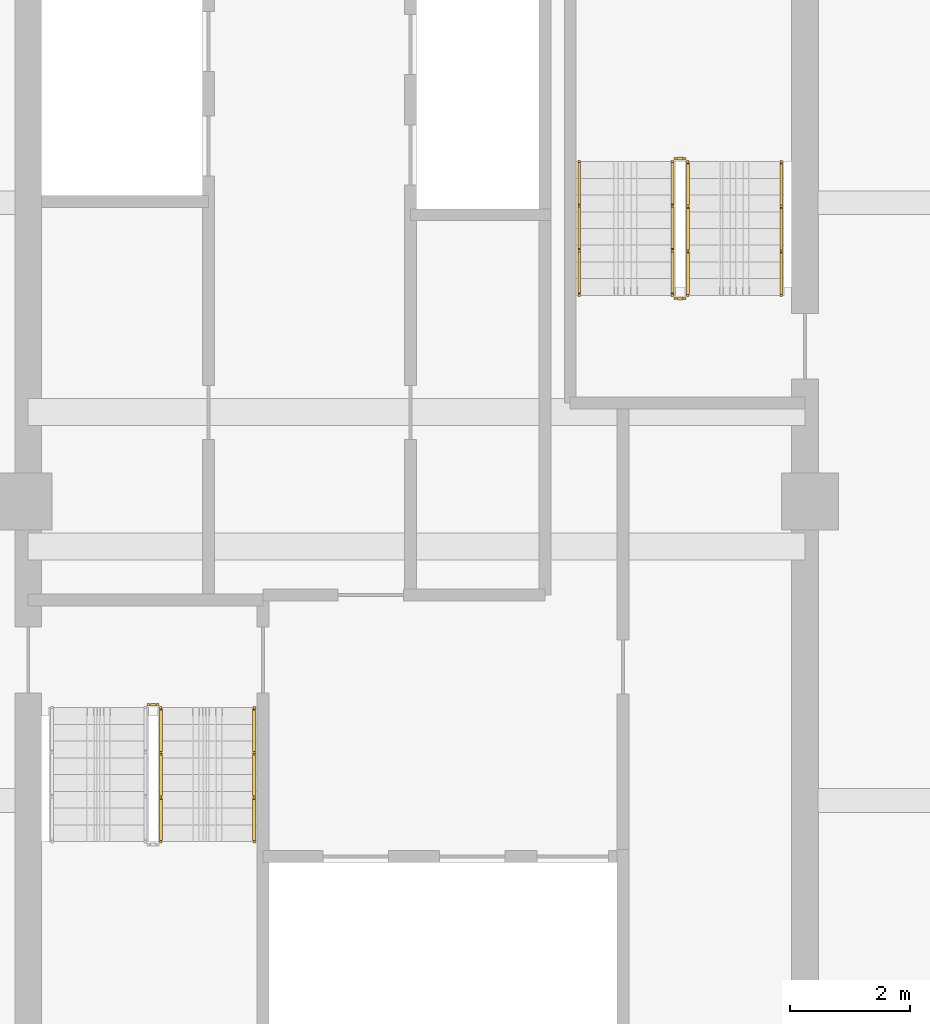
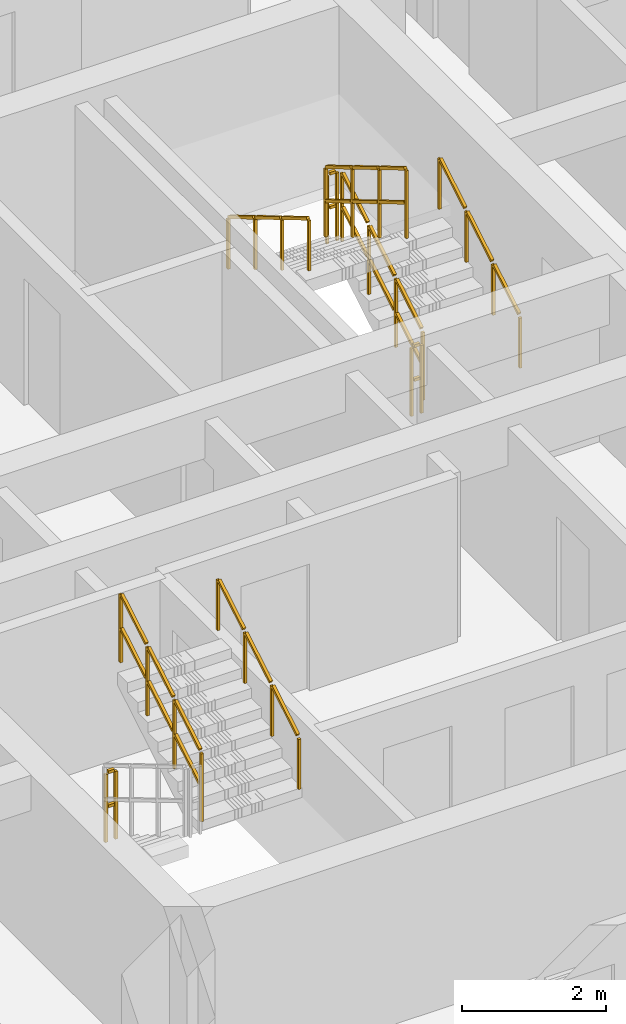
# One storey, part 11 of 13: 9 railings.
"""IFC4 building model written with IfcOpenShell, lengths in metres."""

from ifc_helpers import new_model, si_unit, direction, frame, origin, origin_2d, place, context, subcontext, project, spatial, rectangle, extrude, material, type_object, element, save


model = new_model("IFC4")

# Units and contexts
model_context = context("Model", 3, precision=1e-05, world=origin(), true_north=direction((0.0, 1.0)))
body_context = subcontext(model_context, "Body", "Model", "MODEL_VIEW")
ifc_project = project(units=[si_unit("LENGTHUNIT", "METRE"), si_unit("AREAUNIT", "SQUARE_METRE"), si_unit("VOLUMEUNIT", "CUBIC_METRE"), si_unit("PLANEANGLEUNIT", "RADIAN"), si_unit("MASSUNIT", "GRAM", prefix="KILO")], contexts=[model_context])

# Site, building, storey
site_placement = place(None, origin())
site = spatial("IfcSite", under=ifc_project, at=site_placement, CompositionType="ELEMENT")
building_placement = place(site_placement, origin())
building = spatial("IfcBuilding", under=site, at=building_placement, Name="Saelheon Loggia Tower", CompositionType="ELEMENT")
storey_placement = place(building_placement, frame((0.0, 0.0, 223.199951171875)))
storey = spatial("IfcBuildingStorey", under=building, at=storey_placement, Name="L69", CompositionType="ELEMENT", Elevation=223.199951171875)

# Railings
ifc_material_1 = material(Name="Galvanised Steel S275 Stairwell Guardrail", Category="steel")
railing_type_1 = type_object("IfcRailingType", Name="Guard_StairWell_RL_STG", PredefinedType="GUARDRAIL", material=ifc_material_1)
railing_1_placement = place(storey_placement, frame((33.719970703125, 21.31005859375, 1.666748046875)))
element("IfcRailing", 1, at=railing_1_placement, inside=storey, type_object=railing_type_1, Name="L69 ST1 stair guard 3", PredefinedType="GUARDRAIL", context=body_context, shape_type="SweptSolid", body=[
    extrude(rectangle(XDim=0.048095703125, YDim=0.048095703125, at=origin_2d()), frame((0.0, 0.028564453125, 1.19287109375), z_axis=(0.0, 0.859305625298, 0.511462454469), x_axis=(-1.0, 0.0, 0.0)), (0.0, 0.0, 1.0), 0.802490234375),
    extrude(rectangle(XDim=0.048095703125, YDim=0.048095703125, at=origin_2d()), frame((0.0, 0.028564453125, 0.616943359375), z_axis=(0.0, 0.859305625298, 0.511462454469), x_axis=(-1.0, 0.0, 0.0)), (0.0, 0.0, 1.0), 0.802490234375),
    extrude(rectangle(XDim=0.048095703125, YDim=0.048095703125, at=origin_2d()), frame((0.0, 0.775146484375, 1.63720703125), z_axis=(0.0, 0.859305625298, 0.511462454469), x_axis=(-1.0, 0.0, 0.0)), (0.0, 0.0, 1.0), 0.802490234375),
    extrude(rectangle(XDim=0.048095703125, YDim=0.048095703125, at=origin_2d()), frame((0.0, 0.775146484375, 1.061279296875), z_axis=(0.0, 0.859305625298, 0.511462454469), x_axis=(-1.0, 0.0, 0.0)), (0.0, 0.0, 1.0), 0.802490234375),
    extrude(rectangle(XDim=0.048095703125, YDim=0.048095703125, at=origin_2d()), frame((0.0, 1.52197265625, 2.081787109375), z_axis=(0.0, 0.859305625298, 0.511462454469), x_axis=(-1.0, 0.0, 0.0)), (0.0, 0.0, 1.0), 0.802490234375),
    extrude(rectangle(XDim=0.048095703125, YDim=0.048095703125, at=origin_2d()), frame((0.0, 1.52197265625, 1.505859375), z_axis=(0.0, 0.859305625298, 0.511462454469), x_axis=(-1.0, 0.0, 0.0)), (0.0, 0.0, 1.0), 0.802490234375),
    extrude(rectangle(XDim=0.0419921875, YDim=0.0419921875, at=origin_2d()), origin(), (0.0, 0.0, 1.0), 1.14794921875),
    extrude(rectangle(XDim=0.0419921875, YDim=0.0419921875, at=origin_2d()), frame((0.0, 0.74658203125, 0.4443359375)), (0.0, 0.0, 1.0), 1.14794921875),
    extrude(rectangle(XDim=0.0419921875, YDim=0.0419921875, at=origin_2d()), frame((0.0, 1.493408203125, 0.888916015625)), (0.0, 0.0, 1.0), 1.14794921875),
    extrude(rectangle(XDim=0.0419921875, YDim=0.0419921875, at=origin_2d()), frame((0.0, 2.239990234375, 1.333251953125)), (0.0, 0.0, 1.0), 1.14794921875),
])
railing_2_placement = place(storey_placement, frame((33.510009765625, 23.60009765625, 0.0)))
element("IfcRailing", 2, at=railing_2_placement, inside=storey, type_object=railing_type_1, Name="L69 ST1 stair guard 4", PredefinedType="GUARDRAIL", context=body_context, shape_type="SweptSolid", body=[
    extrude(rectangle(XDim=0.048095703125, YDim=0.048095703125, at=origin_2d()), frame((0.033203125, 0.0, 1.17578125), z_axis=(1.0, 0.0, 0.0), x_axis=(0.0, 1.0, 0.0)), (0.0, 0.0, 1.0), 0.093505859375),
    extrude(rectangle(XDim=0.048095703125, YDim=0.048095703125, at=origin_2d()), frame((0.033203125, 0.0, 0.60009765625), z_axis=(1.0, 0.0, 0.0), x_axis=(0.0, 1.0, 0.0)), (0.0, 0.0, 1.0), 0.093505859375),
    extrude(rectangle(XDim=0.0419921875, YDim=0.0419921875, at=origin_2d()), origin(), (0.0, 0.0, 1.0), 1.14794921875),
    extrude(rectangle(XDim=0.0419921875, YDim=0.0419921875, at=origin_2d()), frame((0.159912109375, 0.0, 0.0)), (0.0, 0.0, 1.0), 1.14794921875),
])
railing_3_placement = place(storey_placement, frame((42.5400390625, 30.449951171875, 0.166748046875)))
element("IfcRailing", 3, at=railing_3_placement, inside=storey, type_object=railing_type_1, Name="L69 ST2 stair guard 1", PredefinedType="GUARDRAIL", context=body_context, shape_type="SweptSolid", body=[
    extrude(rectangle(XDim=0.048095703125, YDim=0.048095703125, at=origin_2d()), frame((0.0, 0.028564453125, 1.19287109375), z_axis=(0.0, 0.859305625298, 0.511462454469), x_axis=(-1.0, 0.0, 0.0)), (0.0, 0.0, 1.0), 0.802490234375),
    extrude(rectangle(XDim=0.048095703125, YDim=0.048095703125, at=origin_2d()), frame((0.0, 0.028564453125, 0.616943359375), z_axis=(0.0, 0.859305625298, 0.511462454469), x_axis=(-1.0, 0.0, 0.0)), (0.0, 0.0, 1.0), 0.802490234375),
    extrude(rectangle(XDim=0.048095703125, YDim=0.048095703125, at=origin_2d()), frame((0.0, 0.775146484375, 1.63720703125), z_axis=(0.0, 0.859305625298, 0.511462454469), x_axis=(-1.0, 0.0, 0.0)), (0.0, 0.0, 1.0), 0.802490234375),
    extrude(rectangle(XDim=0.048095703125, YDim=0.048095703125, at=origin_2d()), frame((0.0, 0.775146484375, 1.061279296875), z_axis=(0.0, 0.859305625298, 0.511462454469), x_axis=(-1.0, 0.0, 0.0)), (0.0, 0.0, 1.0), 0.802490234375),
    extrude(rectangle(XDim=0.048095703125, YDim=0.048095703125, at=origin_2d()), frame((0.0, 1.52197265625, 2.081787109375), z_axis=(0.0, 0.859305625298, 0.511462454469), x_axis=(-1.0, 0.0, 0.0)), (0.0, 0.0, 1.0), 0.802490234375),
    extrude(rectangle(XDim=0.048095703125, YDim=0.048095703125, at=origin_2d()), frame((0.0, 1.52197265625, 1.505859375), z_axis=(0.0, 0.859305625298, 0.511462454469), x_axis=(-1.0, 0.0, 0.0)), (0.0, 0.0, 1.0), 0.802490234375),
    extrude(rectangle(XDim=0.0419921875, YDim=0.0419921875, at=origin_2d()), origin(), (0.0, 0.0, 1.0), 1.14794921875),
    extrude(rectangle(XDim=0.0419921875, YDim=0.0419921875, at=origin_2d()), frame((0.0, 0.74658203125, 0.4443359375)), (0.0, 0.0, 1.0), 1.14794921875),
    extrude(rectangle(XDim=0.0419921875, YDim=0.0419921875, at=origin_2d()), frame((0.0, 1.493408203125, 0.888916015625)), (0.0, 0.0, 1.0), 1.14794921875),
    extrude(rectangle(XDim=0.0419921875, YDim=0.0419921875, at=origin_2d()), frame((0.0, 2.239990234375, 1.333251953125)), (0.0, 0.0, 1.0), 1.14794921875),
])
railing_4_placement = place(storey_placement, frame((42.489990234375, 32.739990234375, 1.5)))
element("IfcRailing", 4, at=railing_4_placement, inside=storey, type_object=railing_type_1, Name="L69 ST2 stair guard 2", PredefinedType="GUARDRAIL", context=body_context, shape_type="SweptSolid", body=[
    extrude(rectangle(XDim=0.048095703125, YDim=0.048095703125, at=origin_2d()), frame((-0.033203125, 0.0, 1.17578125), z_axis=(-1.0, 0.0, 0.0), x_axis=(0.0, -1.0, 0.0)), (0.0, 0.0, 1.0), 0.093505859375),
    extrude(rectangle(XDim=0.048095703125, YDim=0.048095703125, at=origin_2d()), frame((-0.033203125, 0.0, 0.60009765625), z_axis=(-1.0, 0.0, 0.0), x_axis=(0.0, -1.0, 0.0)), (0.0, 0.0, 1.0), 0.093505859375),
    extrude(rectangle(XDim=0.0419921875, YDim=0.0419921875, at=origin_2d()), origin(), (0.0, 0.0, 1.0), 1.14794921875),
    extrude(rectangle(XDim=0.0419921875, YDim=0.0419921875, at=origin_2d()), frame((-0.159912109375, 0.0, 0.0)), (0.0, 0.0, 1.0), 1.14794921875),
])
railing_5_placement = place(storey_placement, frame((42.280029296875, 32.68994140625, 1.666748046875)))
element("IfcRailing", 5, at=railing_5_placement, inside=storey, type_object=railing_type_1, Name="L69 ST2 stair guard 3", PredefinedType="GUARDRAIL", context=body_context, shape_type="SweptSolid", body=[
    extrude(rectangle(XDim=0.048095703125, YDim=0.048095703125, at=origin_2d()), frame((0.0, -0.028564453125, 1.19287109375), z_axis=(0.0, -0.859305625298, 0.511462454469), x_axis=(1.0, 0.0, 0.0)), (0.0, 0.0, 1.0), 0.802490234375),
    extrude(rectangle(XDim=0.048095703125, YDim=0.048095703125, at=origin_2d()), frame((0.0, -0.028564453125, 0.616943359375), z_axis=(0.0, -0.859305625298, 0.511462454469), x_axis=(1.0, 0.0, 0.0)), (0.0, 0.0, 1.0), 0.802490234375),
    extrude(rectangle(XDim=0.048095703125, YDim=0.048095703125, at=origin_2d()), frame((0.0, -0.775146484375, 1.63720703125), z_axis=(0.0, -0.859305625298, 0.511462454469), x_axis=(1.0, 0.0, 0.0)), (0.0, 0.0, 1.0), 0.802490234375),
    extrude(rectangle(XDim=0.048095703125, YDim=0.048095703125, at=origin_2d()), frame((0.0, -0.775146484375, 1.061279296875), z_axis=(0.0, -0.859305625298, 0.511462454469), x_axis=(1.0, 0.0, 0.0)), (0.0, 0.0, 1.0), 0.802490234375),
    extrude(rectangle(XDim=0.048095703125, YDim=0.048095703125, at=origin_2d()), frame((0.0, -1.52197265625, 2.081787109375), z_axis=(0.0, -0.859305625298, 0.511462454469), x_axis=(1.0, 0.0, 0.0)), (0.0, 0.0, 1.0), 0.802490234375),
    extrude(rectangle(XDim=0.048095703125, YDim=0.048095703125, at=origin_2d()), frame((0.0, -1.52197265625, 1.505859375), z_axis=(0.0, -0.859305625298, 0.511462454469), x_axis=(1.0, 0.0, 0.0)), (0.0, 0.0, 1.0), 0.802490234375),
    extrude(rectangle(XDim=0.0419921875, YDim=0.0419921875, at=origin_2d()), origin(), (0.0, 0.0, 1.0), 1.14794921875),
    extrude(rectangle(XDim=0.0419921875, YDim=0.0419921875, at=origin_2d()), frame((0.0, -0.74658203125, 0.4443359375)), (0.0, 0.0, 1.0), 1.14794921875),
    extrude(rectangle(XDim=0.0419921875, YDim=0.0419921875, at=origin_2d()), frame((0.0, -1.493408203125, 0.888916015625)), (0.0, 0.0, 1.0), 1.14794921875),
    extrude(rectangle(XDim=0.0419921875, YDim=0.0419921875, at=origin_2d()), frame((0.0, -2.239990234375, 1.333251953125)), (0.0, 0.0, 1.0), 1.14794921875),
])
railing_6_placement = place(storey_placement, frame((42.489990234375, 30.39990234375, 0.0)))
element("IfcRailing", 6, at=railing_6_placement, inside=storey, type_object=railing_type_1, Name="L69 ST2 stair guard 4", PredefinedType="GUARDRAIL", context=body_context, shape_type="SweptSolid", body=[
    extrude(rectangle(XDim=0.048095703125, YDim=0.048095703125, at=origin_2d()), frame((-0.033203125, 0.0, 1.17578125), z_axis=(-1.0, 0.0, 0.0), x_axis=(0.0, -1.0, 0.0)), (0.0, 0.0, 1.0), 0.093505859375),
    extrude(rectangle(XDim=0.048095703125, YDim=0.048095703125, at=origin_2d()), frame((-0.033203125, 0.0, 0.60009765625), z_axis=(-1.0, 0.0, 0.0), x_axis=(0.0, -1.0, 0.0)), (0.0, 0.0, 1.0), 0.093505859375),
    extrude(rectangle(XDim=0.0419921875, YDim=0.0419921875, at=origin_2d()), origin(), (0.0, 0.0, 1.0), 1.14794921875),
    extrude(rectangle(XDim=0.0419921875, YDim=0.0419921875, at=origin_2d()), frame((-0.159912109375, 0.0, 0.0)), (0.0, 0.0, 1.0), 1.14794921875),
])
ifc_material_2 = material(Name="Stainless Steel 304 Tubular Handrail", Category="steel")
railing_type_2 = type_object("IfcRailingType", Name="Handrail_Stair_RL_HR1", PredefinedType="HANDRAIL", material=ifc_material_2)
for number, where, name in (
    (7, (35.280029296875, 21.31005859375, 1.666748046875), "L69 ST1 stair handrail 2"),
    (8, (44.10009765625, 30.449951171875, 0.166748046875), "L69 ST2 stair handrail 1"),
):
    element("IfcRailing", number, at=place(storey_placement, frame(where)), inside=storey, type_object=railing_type_2, Name=name, PredefinedType="HANDRAIL", context=body_context, shape_type="SweptSolid", body=[
        extrude(rectangle(XDim=0.048095703125, YDim=0.048095703125, at=origin_2d()), frame((0.0, 0.028564453125, 0.892822265625), z_axis=(0.0, 0.859305625298, 0.511462454469), x_axis=(-1.0, 0.0, 0.0)), (0.0, 0.0, 1.0), 0.802490234375),
        extrude(rectangle(XDim=0.048095703125, YDim=0.048095703125, at=origin_2d()), frame((0.0, 0.775146484375, 1.337158203125), z_axis=(0.0, 0.859305625298, 0.511462454469), x_axis=(-1.0, 0.0, 0.0)), (0.0, 0.0, 1.0), 0.802490234375),
        extrude(rectangle(XDim=0.048095703125, YDim=0.048095703125, at=origin_2d()), frame((0.0, 1.52197265625, 1.78173828125), z_axis=(0.0, 0.859305625298, 0.511462454469), x_axis=(-1.0, 0.0, 0.0)), (0.0, 0.0, 1.0), 0.802490234375),
        extrude(rectangle(XDim=0.0419921875, YDim=0.0419921875, at=origin_2d()), origin(), (0.0, 0.0, 1.0), 0.847900390625),
        extrude(rectangle(XDim=0.0419921875, YDim=0.0419921875, at=origin_2d()), frame((0.0, 0.74658203125, 0.4443359375)), (0.0, 0.0, 1.0), 0.847900390625),
        extrude(rectangle(XDim=0.0419921875, YDim=0.0419921875, at=origin_2d()), frame((0.0, 1.493408203125, 0.888916015625)), (0.0, 0.0, 1.0), 0.847900390625),
        extrude(rectangle(XDim=0.0419921875, YDim=0.0419921875, at=origin_2d()), frame((0.0, 2.239990234375, 1.333251953125)), (0.0, 0.0, 1.0), 0.847900390625),
    ])
railing_7_placement = place(storey_placement, frame((40.719970703125, 32.68994140625, 1.666748046875)))
element("IfcRailing", 9, at=railing_7_placement, inside=storey, type_object=railing_type_2, Name="L69 ST2 stair handrail 2", PredefinedType="HANDRAIL", context=body_context, shape_type="SweptSolid", body=[
    extrude(rectangle(XDim=0.048095703125, YDim=0.048095703125, at=origin_2d()), frame((0.0, -0.028564453125, 0.892822265625), z_axis=(0.0, -0.859305625298, 0.511462454469), x_axis=(1.0, 0.0, 0.0)), (0.0, 0.0, 1.0), 0.802490234375),
    extrude(rectangle(XDim=0.048095703125, YDim=0.048095703125, at=origin_2d()), frame((0.0, -0.775146484375, 1.337158203125), z_axis=(0.0, -0.859305625298, 0.511462454469), x_axis=(1.0, 0.0, 0.0)), (0.0, 0.0, 1.0), 0.802490234375),
    extrude(rectangle(XDim=0.048095703125, YDim=0.048095703125, at=origin_2d()), frame((0.0, -1.52197265625, 1.78173828125), z_axis=(0.0, -0.859305625298, 0.511462454469), x_axis=(1.0, 0.0, 0.0)), (0.0, 0.0, 1.0), 0.802490234375),
    extrude(rectangle(XDim=0.0419921875, YDim=0.0419921875, at=origin_2d()), origin(), (0.0, 0.0, 1.0), 0.847900390625),
    extrude(rectangle(XDim=0.0419921875, YDim=0.0419921875, at=origin_2d()), frame((0.0, -0.74658203125, 0.4443359375)), (0.0, 0.0, 1.0), 0.847900390625),
    extrude(rectangle(XDim=0.0419921875, YDim=0.0419921875, at=origin_2d()), frame((0.0, -1.493408203125, 0.888916015625)), (0.0, 0.0, 1.0), 0.847900390625),
    extrude(rectangle(XDim=0.0419921875, YDim=0.0419921875, at=origin_2d()), frame((0.0, -2.239990234375, 1.333251953125)), (0.0, 0.0, 1.0), 0.847900390625),
])

save(model, "model.ifc")
